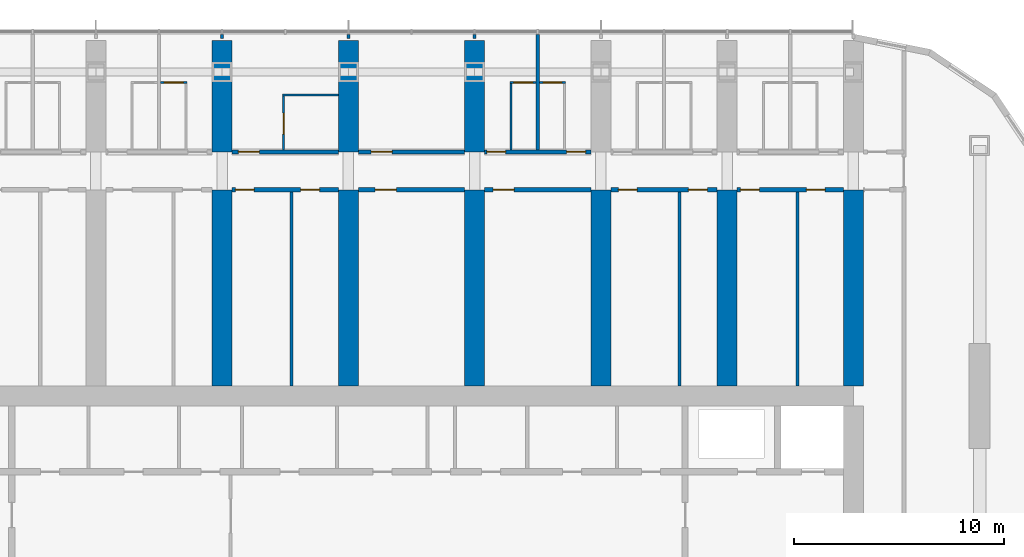
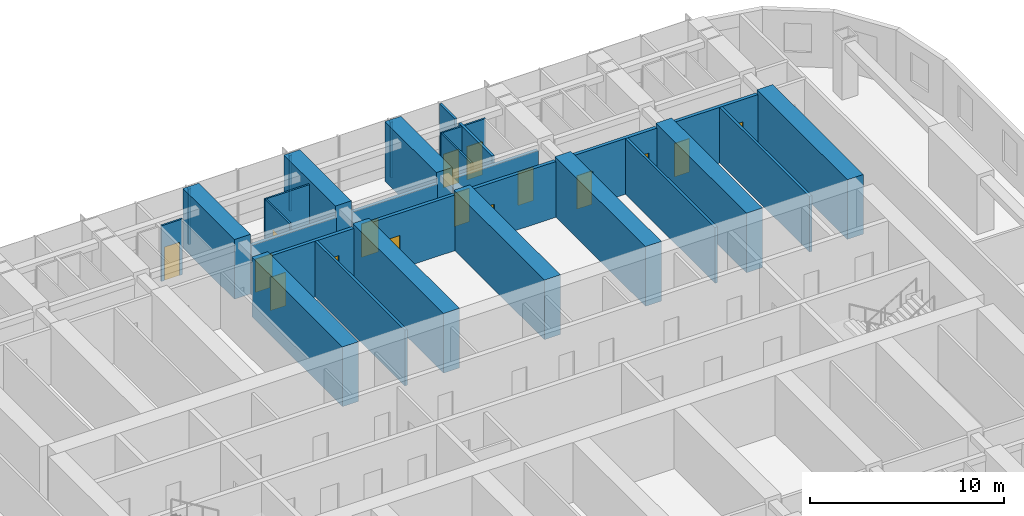
# One storey, part 17 of 26: 30 walls, 16 doors, 16 openings.
"""IFC4 building model written with IfcOpenShell, lengths in metres."""

from ifc_helpers import new_model, si_unit, direction, frame, frame_2d, origin, place, context, subcontext, project, spatial, polyline, rectangle, outline, extrude, material, layer, layer_set, type_object, element, fill, save


model = new_model("IFC4")

# Units and contexts
model_context = context("Model", 3, precision=1e-05, world=origin(), true_north=direction((0.0, 1.0)))
body_context = subcontext(model_context, "Body", "Model", "MODEL_VIEW")
ifc_project = project(units=[si_unit("LENGTHUNIT", "METRE"), si_unit("AREAUNIT", "SQUARE_METRE"), si_unit("VOLUMEUNIT", "CUBIC_METRE"), si_unit("PLANEANGLEUNIT", "RADIAN"), si_unit("MASSUNIT", "GRAM", prefix="KILO")], contexts=[model_context])

# Site, building, storey
site_placement = place(None, origin())
site = spatial("IfcSite", under=ifc_project, at=site_placement, CompositionType="ELEMENT")
building_placement = place(site_placement, origin())
building = spatial("IfcBuilding", under=site, at=building_placement, Name="Orbita Commons", CompositionType="ELEMENT")
storey_placement = place(building_placement, frame((0.0, 0.0, 114.39990234375)))
storey = spatial("IfcBuildingStorey", under=building, at=storey_placement, Name="L28", CompositionType="ELEMENT", Elevation=114.39990234375)

# Wall, opening, door
ifc_material_1 = material(Name="Concrete blockwork", Category="masonry")
ifc_layer_1 = layer(ifc_material_1, 0.199951171875)
ifc_layer_set_1 = layer_set([ifc_layer_1], Name="Concrete blockwork")
wall_type_1 = type_object("IfcWallType", Name="Corridor wall 200 blockwork", PredefinedType="SOLIDWALL", material=ifc_layer_set_1)
wall_1_placement = place(storey_placement, frame((36.47509765625, 49.800048828125, 0.0), z_axis=(0.0, 0.0, 1.0), x_axis=(1.0, 0.0, 0.0)))
wall_1 = element("IfcWall", 1, at=wall_1_placement, inside=storey, type_object=wall_type_1, Name="Corridor wall 200 blockwork L28", PredefinedType="SOLIDWALL", context=body_context, shape_type="SweptSolid", body=[
    extrude(outline(polyline([(0.0, 0.0), (5.0498046875, 0.0), (5.050048828125, 3.10009765625), (0.0, 3.10009765625), (0.0, 0.0)])), frame((0.0, 0.10009765625, 0.0), z_axis=(0.0, -1.0, 0.0), x_axis=(1.0, 0.0, 0.0)), (0.0, 0.0, 1.0), 0.199951171875),
])
opening_1_placement = place(wall_1_placement, frame((0.300048828125, 0.0, 0.0)))
opening_1 = element("IfcOpeningElement", 2, at=opening_1_placement, cuts=wall_1, Name="Opening D06", PredefinedType="OPENING", context=body_context, shape_type="SweptSolid", body=[
    extrude(rectangle(XDim=1.0, YDim=2.10009765625, at=frame_2d((0.5, 1.050048828125))), frame((0.0, 0.10986328125, 0.0), z_axis=(0.0, -1.0, 0.0), x_axis=(1.0, 0.0, 0.0)), (0.0, 0.0, 1.0), 0.219970703125),
])
ifc_material_2 = material(Name="Steel-faced fire door leaf", Category="steel")
door_type_1 = type_object("IfcDoorType", Name="Corridor door 20 min 1000x2100", OperationType="SINGLE_SWING_LEFT", PredefinedType="DOOR", material=ifc_material_2)
door_1_placement = place(opening_1_placement, origin())
door_1 = element("IfcDoor", 3, at=door_1_placement, inside=storey, type_object=door_type_1, Name="Accessible bedroom L28-N08 door", OperationType="SINGLE_SWING_LEFT", OverallHeight=2.10009765625, OverallWidth=1.0, PredefinedType="DOOR", context=body_context, shape_type="SweptSolid", body=[
    extrude(rectangle(XDim=1.0, YDim=2.10009765625, at=frame_2d((0.5, 1.050048828125))), frame((0.0, 0.02490234375, 0.0), z_axis=(0.0, -1.0, 0.0), x_axis=(1.0, 0.0, 0.0)), (0.0, 0.0, 1.0), 0.050048828125),
])
fill(opening_1, door_1)

wall_2_placement = place(storey_placement, frame((42.47509765625, 49.800048828125, 0.0), z_axis=(0.0, 0.0, 1.0), x_axis=(1.0, 0.0, 0.0)))
wall_2 = element("IfcWall", 4, at=wall_2_placement, inside=storey, type_object=wall_type_1, Name="Corridor wall 200 blockwork L28", PredefinedType="SOLIDWALL", context=body_context, shape_type="SweptSolid", body=[
    extrude(outline(polyline([(0.0, 0.0), (5.0498046875, 0.0), (5.050048828125, 3.10009765625), (0.0, 3.10009765625), (0.0, 0.0)])), frame((0.0, 0.10009765625, 0.0), z_axis=(0.0, -1.0, 0.0), x_axis=(1.0, 0.0, 0.0)), (0.0, 0.0, 1.0), 0.199951171875),
])
opening_2_placement = place(wall_2_placement, frame((0.60009765625, 0.0, 0.0)))
opening_2 = element("IfcOpeningElement", 5, at=opening_2_placement, cuts=wall_2, Name="Opening D06", PredefinedType="OPENING", context=body_context, shape_type="SweptSolid", body=[
    extrude(rectangle(XDim=1.0, YDim=2.10009765625, at=frame_2d((0.5, 1.050048828125))), frame((0.0, 0.10986328125, 0.0), z_axis=(0.0, -1.0, 0.0), x_axis=(1.0, 0.0, 0.0)), (0.0, 0.0, 1.0), 0.219970703125),
])
door_2_placement = place(opening_2_placement, origin())
door_2 = element("IfcDoor", 6, at=door_2_placement, inside=storey, type_object=door_type_1, Name="Cluster kitchen-diner L28-N10 door", OperationType="SINGLE_SWING_LEFT", OverallHeight=2.10009765625, OverallWidth=1.0, PredefinedType="DOOR", context=body_context, shape_type="SweptSolid", body=[
    extrude(rectangle(XDim=1.0, YDim=2.10009765625, at=frame_2d((0.5, 1.050048828125))), frame((0.0, 0.02490234375, 0.0), z_axis=(0.0, -1.0, 0.0), x_axis=(1.0, 0.0, 0.0)), (0.0, 0.0, 1.0), 0.050048828125),
])
fill(opening_2, door_2)

# Wall, openings, doors
wall_3_placement = place(storey_placement, frame((48.47509765625, 49.800048828125, 0.0), z_axis=(0.0, 0.0, 1.0), x_axis=(1.0, 0.0, 0.0)))
wall_3 = element("IfcWall", 7, at=wall_3_placement, inside=storey, type_object=wall_type_1, Name="Corridor wall 200 blockwork L28", PredefinedType="SOLIDWALL", context=body_context, shape_type="SweptSolid", body=[
    extrude(outline(polyline([(0.0, 0.0), (5.0498046875, 0.0), (5.050048828125, 3.10009765625), (0.0, 3.10009765625), (0.0, 0.0)])), frame((0.0, 0.10009765625, 0.0), z_axis=(0.0, -1.0, 0.0), x_axis=(1.0, 0.0, 0.0)), (0.0, 0.0, 1.0), 0.199951171875),
])
opening_3_placement = place(wall_3_placement, frame((0.10009765625, 0.0, 0.0)))
opening_3 = element("IfcOpeningElement", 8, at=opening_3_placement, cuts=wall_3, Name="Opening D11", PredefinedType="OPENING", context=body_context, shape_type="SweptSolid", body=[
    extrude(rectangle(XDim=0.89990234375, YDim=2.10009765625, at=frame_2d((0.449951171875, 1.050048828125))), frame((0.0, 0.10986328125, 0.0), z_axis=(0.0, -1.0, 0.0), x_axis=(1.0, 0.0, 0.0)), (0.0, 0.0, 1.0), 0.219970703125),
])
opening_4_placement = place(wall_3_placement, frame((3.89990234375, 0.0, 0.0)))
opening_4 = element("IfcOpeningElement", 9, at=opening_4_placement, cuts=wall_3, Name="Opening D11", PredefinedType="OPENING", context=body_context, shape_type="SweptSolid", body=[
    extrude(rectangle(XDim=0.89990234375, YDim=2.10009765625, at=frame_2d((0.449951171875, 1.050048828125))), frame((0.0, 0.10986328125, 0.0), z_axis=(0.0, -1.0, 0.0), x_axis=(1.0, 0.0, 0.0)), (0.0, 0.0, 1.0), 0.219970703125),
])
ifc_material_3 = material(Name="Steel-faced fire door leaf", Category="steel")
door_type_2 = type_object("IfcDoorType", Name="Corridor door 20 min 900x2100", OperationType="SINGLE_SWING_LEFT", PredefinedType="DOOR", material=ifc_material_3)
door_3_placement = place(opening_3_placement, origin())
door_3 = element("IfcDoor", 10, at=door_3_placement, inside=storey, type_object=door_type_2, Name="Cluster bedroom L28-N12 door", OperationType="SINGLE_SWING_LEFT", OverallHeight=2.10009765625, OverallWidth=0.89990234375, PredefinedType="DOOR", context=body_context, shape_type="SweptSolid", body=[
    extrude(rectangle(XDim=0.89990234375, YDim=2.10009765625, at=frame_2d((0.449951171875, 1.050048828125))), frame((0.0, 0.02490234375, 0.0), z_axis=(0.0, -1.0, 0.0), x_axis=(1.0, 0.0, 0.0)), (0.0, 0.0, 1.0), 0.050048828125),
])
fill(opening_3, door_3)
door_4_placement = place(opening_4_placement, origin())
door_4 = element("IfcDoor", 11, at=door_4_placement, inside=storey, type_object=door_type_2, Name="Cluster bedroom L28-N13 door", OperationType="SINGLE_SWING_LEFT", OverallHeight=2.10009765625, OverallWidth=0.89990234375, PredefinedType="DOOR", context=body_context, shape_type="SweptSolid", body=[
    extrude(rectangle(XDim=0.89990234375, YDim=2.10009765625, at=frame_2d((0.449951171875, 1.050048828125))), frame((0.0, 0.02490234375, 0.0), z_axis=(0.0, -1.0, 0.0), x_axis=(1.0, 0.0, 0.0)), (0.0, 0.0, 1.0), 0.050048828125),
])
fill(opening_4, door_4)

ifc_material_4 = material(Name="Hollow concrete block 200", Category="concrete")
ifc_layer_2 = layer(ifc_material_4, 0.199951171875)
ifc_layer_set_2 = layer_set([ifc_layer_2], Name="Hollow concrete block 200")
wall_type_2 = type_object("IfcWallType", Name="Corridor wall 200 hollow concrete block", PredefinedType="SOLIDWALL", material=ifc_layer_set_2)
wall_4_placement = place(storey_placement, frame((36.47509765625, 48.0, 0.0), z_axis=(0.0, 0.0, 1.0), x_axis=(1.0, 0.0, 0.0)))
wall_4 = element("IfcWall", 12, at=wall_4_placement, inside=storey, type_object=wall_type_2, Name="Corridor wall 200 hollow concrete block L28", PredefinedType="SOLIDWALL", context=body_context, shape_type="SweptSolid", body=[
    extrude(rectangle(XDim=5.0498046875, YDim=0.199951171875, at=frame_2d((2.52490234375, 0.0))), origin(), (0.0, 0.0, 1.0), 3.5),
])
opening_5_placement = place(wall_4_placement, frame((0.14990234375, 0.0, 0.0)))
opening_5 = element("IfcOpeningElement", 13, at=opening_5_placement, cuts=wall_4, Name="Opening D11", PredefinedType="OPENING", context=body_context, shape_type="SweptSolid", body=[
    extrude(rectangle(XDim=0.89990234375, YDim=2.10009765625, at=frame_2d((0.449951171875, 1.050048828125))), frame((0.0, 0.10986328125, 0.0), z_axis=(0.0, -1.0, 0.0), x_axis=(1.0, 0.0, 0.0)), (0.0, 0.0, 1.0), 0.219970703125),
])
opening_6_placement = place(wall_4_placement, frame((3.2548828125, 0.0, 0.0)))
opening_6 = element("IfcOpeningElement", 14, at=opening_6_placement, cuts=wall_4, Name="Opening D11", PredefinedType="OPENING", context=body_context, shape_type="SweptSolid", body=[
    extrude(rectangle(XDim=0.89990234375, YDim=2.10009765625, at=frame_2d((0.449951171875, 1.050048828125))), frame((0.0, 0.10986328125, 0.0), z_axis=(0.0, -1.0, 0.0), x_axis=(1.0, 0.0, 0.0)), (0.0, 0.0, 1.0), 0.219970703125),
])
door_5_placement = place(opening_5_placement, origin())
door_5 = element("IfcDoor", 15, at=door_5_placement, inside=storey, type_object=door_type_2, Name="Furniture store L28-BDN36 door", OperationType="SINGLE_SWING_LEFT", OverallHeight=2.10009765625, OverallWidth=0.89990234375, PredefinedType="DOOR", context=body_context, shape_type="SweptSolid", body=[
    extrude(rectangle(XDim=0.89990234375, YDim=2.10009765625, at=frame_2d((0.449951171875, 1.050048828125))), frame((0.0, 0.02490234375, 0.0), z_axis=(0.0, -1.0, 0.0), x_axis=(1.0, 0.0, 0.0)), (0.0, 0.0, 1.0), 0.050048828125),
])
fill(opening_5, door_5)
door_6_placement = place(opening_6_placement, origin())
door_6 = element("IfcDoor", 16, at=door_6_placement, inside=storey, type_object=door_type_2, Name="Water heater cupboard L28-BDN36n door", OperationType="SINGLE_SWING_LEFT", OverallHeight=2.10009765625, OverallWidth=0.89990234375, PredefinedType="DOOR", context=body_context, shape_type="SweptSolid", body=[
    extrude(rectangle(XDim=0.89990234375, YDim=2.10009765625, at=frame_2d((0.449951171875, 1.050048828125))), frame((0.0, 0.02490234375, 0.0), z_axis=(0.0, -1.0, 0.0), x_axis=(1.0, 0.0, 0.0)), (0.0, 0.0, 1.0), 0.050048828125),
])
fill(opening_6, door_6)

# Wall, opening, door
wall_5_placement = place(storey_placement, frame((42.47509765625, 48.0, 0.0), z_axis=(0.0, 0.0, 1.0), x_axis=(1.0, 0.0, 0.0)))
wall_5 = element("IfcWall", 17, at=wall_5_placement, inside=storey, type_object=wall_type_2, Name="Corridor wall 200 hollow concrete block L28", PredefinedType="SOLIDWALL", context=body_context, shape_type="SweptSolid", body=[
    extrude(rectangle(XDim=5.0498046875, YDim=0.199951171875, at=frame_2d((2.52490234375, 0.0))), origin(), (0.0, 0.0, 1.0), 3.5),
])
opening_7_placement = place(wall_5_placement, frame((0.800048828125, 0.0, 0.0)))
opening_7 = element("IfcOpeningElement", 18, at=opening_7_placement, cuts=wall_5, Name="Opening D06", PredefinedType="OPENING", context=body_context, shape_type="SweptSolid", body=[
    extrude(rectangle(XDim=1.0, YDim=2.10009765625, at=frame_2d((0.5, 1.050048828125))), frame((0.0, 0.10986328125, 0.0), z_axis=(0.0, -1.0, 0.0), x_axis=(1.0, 0.0, 0.0)), (0.0, 0.0, 1.0), 0.219970703125),
])
door_7_placement = place(opening_7_placement, origin())
door_7 = element("IfcDoor", 19, at=door_7_placement, inside=storey, type_object=door_type_1, Name="IT and print room L28-BDN42 door", OperationType="SINGLE_SWING_LEFT", OverallHeight=2.10009765625, OverallWidth=1.0, PredefinedType="DOOR", context=body_context, shape_type="SweptSolid", body=[
    extrude(rectangle(XDim=1.0, YDim=2.10009765625, at=frame_2d((0.5, 1.050048828125))), frame((0.0, 0.02490234375, 0.0), z_axis=(0.0, -1.0, 0.0), x_axis=(1.0, 0.0, 0.0)), (0.0, 0.0, 1.0), 0.050048828125),
])
fill(opening_7, door_7)

wall_6_placement = place(storey_placement, frame((48.47509765625, 48.0, 0.0), z_axis=(0.0, 0.0, 1.0), x_axis=(1.0, 0.0, 0.0)))
wall_6 = element("IfcWall", 20, at=wall_6_placement, inside=storey, type_object=wall_type_2, Name="Corridor wall 200 hollow concrete block L28", PredefinedType="SOLIDWALL", context=body_context, shape_type="SweptSolid", body=[
    extrude(rectangle(XDim=5.0498046875, YDim=0.199951171875, at=frame_2d((2.52490234375, 0.0))), origin(), (0.0, 0.0, 1.0), 3.5),
])
opening_8_placement = place(wall_6_placement, frame((0.39990234375, 0.0, 0.0)))
opening_8 = element("IfcOpeningElement", 21, at=opening_8_placement, cuts=wall_6, Name="Opening D06", PredefinedType="OPENING", context=body_context, shape_type="SweptSolid", body=[
    extrude(rectangle(XDim=1.0, YDim=2.10009765625, at=frame_2d((0.5, 1.050048828125))), frame((0.0, 0.10986328125, 0.0), z_axis=(0.0, -1.0, 0.0), x_axis=(1.0, 0.0, 0.0)), (0.0, 0.0, 1.0), 0.219970703125),
])
door_8_placement = place(opening_8_placement, origin())
door_8 = element("IfcDoor", 22, at=door_8_placement, inside=storey, type_object=door_type_1, Name="Store L28-BDN48 door", OperationType="SINGLE_SWING_LEFT", OverallHeight=2.10009765625, OverallWidth=1.0, PredefinedType="DOOR", context=body_context, shape_type="SweptSolid", body=[
    extrude(rectangle(XDim=1.0, YDim=2.10009765625, at=frame_2d((0.5, 1.050048828125))), frame((0.0, 0.02490234375, 0.0), z_axis=(0.0, -1.0, 0.0), x_axis=(1.0, 0.0, 0.0)), (0.0, 0.0, 1.0), 0.050048828125),
])
fill(opening_8, door_8)

# Wall, openings, doors
wall_7_placement = place(storey_placement, frame((54.47509765625, 48.0, 0.0), z_axis=(0.0, 0.0, 1.0), x_axis=(1.0, 0.0, 0.0)))
wall_7 = element("IfcWall", 23, at=wall_7_placement, inside=storey, type_object=wall_type_2, Name="Corridor wall 200 hollow concrete block L28", PredefinedType="SOLIDWALL", context=body_context, shape_type="SweptSolid", body=[
    extrude(rectangle(XDim=5.0498046875, YDim=0.199951171875, at=frame_2d((2.52490234375, 0.0))), origin(), (0.0, 0.0, 1.0), 3.5),
])
opening_9_placement = place(wall_7_placement, frame((0.35009765625, 0.0, 0.0)))
opening_9 = element("IfcOpeningElement", 24, at=opening_9_placement, cuts=wall_7, Name="Opening D11", PredefinedType="OPENING", context=body_context, shape_type="SweptSolid", body=[
    extrude(rectangle(XDim=0.89990234375, YDim=2.10009765625, at=frame_2d((0.449951171875, 1.050048828125))), frame((0.0, 0.10986328125, 0.0), z_axis=(0.0, -1.0, 0.0), x_axis=(1.0, 0.0, 0.0)), (0.0, 0.0, 1.0), 0.219970703125),
])
opening_10_placement = place(wall_7_placement, frame((3.68505859375, 0.0, 0.0)))
opening_10 = element("IfcOpeningElement", 25, at=opening_10_placement, cuts=wall_7, Name="Opening D11", PredefinedType="OPENING", context=body_context, shape_type="SweptSolid", body=[
    extrude(rectangle(XDim=0.89990234375, YDim=2.10009765625, at=frame_2d((0.449951171875, 1.050048828125))), frame((0.0, 0.10986328125, 0.0), z_axis=(0.0, -1.0, 0.0), x_axis=(1.0, 0.0, 0.0)), (0.0, 0.0, 1.0), 0.219970703125),
])
door_9_placement = place(opening_9_placement, origin())
door_9 = element("IfcDoor", 26, at=door_9_placement, inside=storey, type_object=door_type_2, Name="Bulk and luggage store L28-BDN54 door", OperationType="SINGLE_SWING_LEFT", OverallHeight=2.10009765625, OverallWidth=0.89990234375, PredefinedType="DOOR", context=body_context, shape_type="SweptSolid", body=[
    extrude(rectangle(XDim=0.89990234375, YDim=2.10009765625, at=frame_2d((0.449951171875, 1.050048828125))), frame((0.0, 0.02490234375, 0.0), z_axis=(0.0, -1.0, 0.0), x_axis=(1.0, 0.0, 0.0)), (0.0, 0.0, 1.0), 0.050048828125),
])
fill(opening_9, door_9)
door_10_placement = place(opening_10_placement, origin())
door_10 = element("IfcDoor", 27, at=door_10_placement, inside=storey, type_object=door_type_2, Name="Battery and UPS room L28-BDN54n door", OperationType="SINGLE_SWING_LEFT", OverallHeight=2.10009765625, OverallWidth=0.89990234375, PredefinedType="DOOR", context=body_context, shape_type="SweptSolid", body=[
    extrude(rectangle(XDim=0.89990234375, YDim=2.10009765625, at=frame_2d((0.449951171875, 1.050048828125))), frame((0.0, 0.02490234375, 0.0), z_axis=(0.0, -1.0, 0.0), x_axis=(1.0, 0.0, 0.0)), (0.0, 0.0, 1.0), 0.050048828125),
])
fill(opening_10, door_10)

wall_8_placement = place(storey_placement, frame((60.47509765625, 48.0, 0.0), z_axis=(0.0, 0.0, 1.0), x_axis=(1.0, 0.0, 0.0)))
wall_8 = element("IfcWall", 28, at=wall_8_placement, inside=storey, type_object=wall_type_2, Name="Corridor wall 200 hollow concrete block L28", PredefinedType="SOLIDWALL", context=body_context, shape_type="SweptSolid", body=[
    extrude(rectangle(XDim=5.0498046875, YDim=0.199951171875, at=frame_2d((2.52490234375, 0.0))), origin(), (0.0, 0.0, 1.0), 3.5),
])
opening_11_placement = place(wall_8_placement, frame((0.14990234375, 0.0, 0.0)))
opening_11 = element("IfcOpeningElement", 29, at=opening_11_placement, cuts=wall_8, Name="Opening D11", PredefinedType="OPENING", context=body_context, shape_type="SweptSolid", body=[
    extrude(rectangle(XDim=0.89990234375, YDim=2.10009765625, at=frame_2d((0.449951171875, 1.050048828125))), frame((0.0, 0.10986328125, 0.0), z_axis=(0.0, -1.0, 0.0), x_axis=(1.0, 0.0, 0.0)), (0.0, 0.0, 1.0), 0.219970703125),
])
opening_12_placement = place(wall_8_placement, frame((3.284912109375, 0.0, 0.0)))
opening_12 = element("IfcOpeningElement", 30, at=opening_12_placement, cuts=wall_8, Name="Opening D11", PredefinedType="OPENING", context=body_context, shape_type="SweptSolid", body=[
    extrude(rectangle(XDim=0.89990234375, YDim=2.10009765625, at=frame_2d((0.449951171875, 1.050048828125))), frame((0.0, 0.10986328125, 0.0), z_axis=(0.0, -1.0, 0.0), x_axis=(1.0, 0.0, 0.0)), (0.0, 0.0, 1.0), 0.219970703125),
])
door_11_placement = place(opening_11_placement, origin())
door_11 = element("IfcDoor", 31, at=door_11_placement, inside=storey, type_object=door_type_2, Name="Parcel and post room L28-BDN60 door", OperationType="SINGLE_SWING_LEFT", OverallHeight=2.10009765625, OverallWidth=0.89990234375, PredefinedType="DOOR", context=body_context, shape_type="SweptSolid", body=[
    extrude(rectangle(XDim=0.89990234375, YDim=2.10009765625, at=frame_2d((0.449951171875, 1.050048828125))), frame((0.0, 0.02490234375, 0.0), z_axis=(0.0, -1.0, 0.0), x_axis=(1.0, 0.0, 0.0)), (0.0, 0.0, 1.0), 0.050048828125),
])
fill(opening_11, door_11)
door_12_placement = place(opening_12_placement, origin())
door_12 = element("IfcDoor", 32, at=door_12_placement, inside=storey, type_object=door_type_2, Name="Sprinkler valve room L28-BDN60n door", OperationType="SINGLE_SWING_LEFT", OverallHeight=2.10009765625, OverallWidth=0.89990234375, PredefinedType="DOOR", context=body_context, shape_type="SweptSolid", body=[
    extrude(rectangle(XDim=0.89990234375, YDim=2.10009765625, at=frame_2d((0.449951171875, 1.050048828125))), frame((0.0, 0.02490234375, 0.0), z_axis=(0.0, -1.0, 0.0), x_axis=(1.0, 0.0, 0.0)), (0.0, 0.0, 1.0), 0.050048828125),
])
fill(opening_12, door_12)

# Walls
ifc_material_5 = material(Name="Concrete C50/60", Category="concrete")
ifc_layer_3 = layer(ifc_material_5, 0.949951171875)
ifc_layer_set_3 = layer_set([ifc_layer_3], Name="Concrete C50/60")
wall_type_3 = type_object("IfcWallType", Name="Cross wall 950 C50/60", PredefinedType="SHEAR", material=ifc_layer_set_3)
wall_9_placement = place(storey_placement, frame((36.0, 49.800048828125, 0.0), z_axis=(0.0, 0.0, 1.0), x_axis=(0.0, 1.0, 0.0)))
element("IfcWall", 33, at=wall_9_placement, inside=storey, type_object=wall_type_3, Name="Cross wall 7 north outer L28", PredefinedType="SHEAR", context=body_context, shape_type="SweptSolid", body=[
    extrude(rectangle(XDim=5.300048828125, YDim=0.949951171875, at=frame_2d((2.64990234375, 0.0))), origin(), (0.0, 0.0, 1.0), 3.75),
])
wall_10_placement = place(storey_placement, frame((36.0, 38.675048828125, 0.0), z_axis=(0.0, 0.0, 1.0), x_axis=(0.0, 1.0, 0.0)))
element("IfcWall", 34, at=wall_10_placement, inside=storey, type_object=wall_type_3, Name="Cross wall 7 north inner L28", PredefinedType="SHEAR", context=body_context, shape_type="SweptSolid", body=[
    extrude(rectangle(XDim=9.324951171875, YDim=0.949951171875, at=frame_2d((4.66259765625, 0.0))), origin(), (0.0, 0.0, 1.0), 3.75),
])
wall_11_placement = place(storey_placement, frame((42.0, 49.800048828125, 0.0), z_axis=(0.0, 0.0, 1.0), x_axis=(0.0, 1.0, 0.0)))
element("IfcWall", 35, at=wall_11_placement, inside=storey, type_object=wall_type_3, Name="Cross wall 8 north outer L28", PredefinedType="SHEAR", context=body_context, shape_type="SweptSolid", body=[
    extrude(rectangle(XDim=5.300048828125, YDim=0.949951171875, at=frame_2d((2.64990234375, 0.0))), origin(), (0.0, 0.0, 1.0), 3.75),
])
wall_12_placement = place(storey_placement, frame((42.0, 38.675048828125, 0.0), z_axis=(0.0, 0.0, 1.0), x_axis=(0.0, 1.0, 0.0)))
element("IfcWall", 36, at=wall_12_placement, inside=storey, type_object=wall_type_3, Name="Cross wall 8 north inner L28", PredefinedType="SHEAR", context=body_context, shape_type="SweptSolid", body=[
    extrude(rectangle(XDim=9.324951171875, YDim=0.949951171875, at=frame_2d((4.66259765625, 0.0))), origin(), (0.0, 0.0, 1.0), 3.75),
])
wall_13_placement = place(storey_placement, frame((48.0, 49.800048828125, 0.0), z_axis=(0.0, 0.0, 1.0), x_axis=(0.0, 1.0, 0.0)))
element("IfcWall", 37, at=wall_13_placement, inside=storey, type_object=wall_type_3, Name="Cross wall 9 north outer L28", PredefinedType="SHEAR", context=body_context, shape_type="SweptSolid", body=[
    extrude(rectangle(XDim=5.300048828125, YDim=0.949951171875, at=frame_2d((2.64990234375, 0.0))), origin(), (0.0, 0.0, 1.0), 3.75),
])
for number, where, z_axis, x_axis, name in (
    (38, (48.0, 38.675048828125, 0.0), (0.0, 0.0, 1.0), (0.0, 1.0, 0.0), "Cross wall 9 north inner L28"),
    (39, (54.0, 38.675048828125, 0.0), (0.0, 0.0, 1.0), (0.0, 1.0, 0.0), "Cross wall 10 north inner L28"),
    (40, (60.0, 38.675048828125, 0.0), (0.0, 0.0, 1.0), (0.0, 1.0, 0.0), "Cross wall 11 north inner L28"),
    (41, (66.0, 38.675048828125, 0.0), (0.0, 0.0, 1.0), (0.0, 1.0, 0.0), "Cross wall 12 north inner L28"),
):
    element("IfcWall", number, at=place(storey_placement, frame(where, z_axis=z_axis, x_axis=x_axis)), inside=storey, type_object=wall_type_3, Name=name, PredefinedType="SHEAR", context=body_context, shape_type="SweptSolid", body=[
        extrude(rectangle(XDim=9.324951171875, YDim=0.949951171875, at=frame_2d((4.66259765625, 0.0))), origin(), (0.0, 0.0, 1.0), 3.75),
    ])

# Wall, opening, door
ifc_material_6 = material(Name="Moisture-resistant plasterboard on steel studs", Category="steel")
ifc_layer_4 = layer(ifc_material_6, 0.10009765625)
ifc_layer_set_4 = layer_set([ifc_layer_4], Name="Moisture-resistant plasterboard on steel studs")
wall_type_4 = type_object("IfcWallType", Name="En-suite partition 100", PredefinedType="PARTITIONING", material=ifc_layer_set_4)
wall_14_placement = place(storey_placement, frame((33.074951171875, 53.10009765625, 0.0), z_axis=(0.0, 0.0, 1.0), x_axis=(1.0, 0.0, 0.0)))
wall_14 = element("IfcWall", 42, at=wall_14_placement, inside=storey, type_object=wall_type_4, Name="En-suite partition 100 L28", PredefinedType="PARTITIONING", context=body_context, shape_type="SweptSolid", body=[
    extrude(rectangle(XDim=1.25, YDim=0.10009765625, at=frame_2d((0.625, 0.0))), origin(), (0.0, 0.0, 1.0), 3.5),
])
opening_13_placement = place(wall_14_placement, frame((0.175048828125, 0.0, 0.0)))
opening_13 = element("IfcOpeningElement", 43, at=opening_13_placement, cuts=wall_14, Name="Opening D09", PredefinedType="OPENING", context=body_context, shape_type="SweptSolid", body=[
    extrude(rectangle(XDim=0.89990234375, YDim=2.10009765625, at=frame_2d((0.449951171875, 1.050048828125))), frame((0.0, 0.06005859375, 0.0), z_axis=(0.0, -1.0, 0.0), x_axis=(1.0, 0.0, 0.0)), (0.0, 0.0, 1.0), 0.1201171875),
])
ifc_material_7 = material(Name="Laminated timber door leaf", Category="wood")
door_type_3 = type_object("IfcDoorType", Name="En-suite door 900x2100", OperationType="SINGLE_SWING_RIGHT", PredefinedType="DOOR", material=ifc_material_7)
door_13_placement = place(opening_13_placement, origin())
door_13 = element("IfcDoor", 44, at=door_13_placement, inside=storey, type_object=door_type_3, Name="En-suite L28-N07 door", OperationType="SINGLE_SWING_RIGHT", OverallHeight=2.10009765625, OverallWidth=0.89990234375, PredefinedType="DOOR", context=body_context, shape_type="SweptSolid", body=[
    extrude(rectangle(XDim=0.89990234375, YDim=2.10009765625, at=frame_2d((0.449951171875, 1.050048828125))), frame((0.0, 0.02490234375, 0.0), z_axis=(0.0, -1.0, 0.0), x_axis=(1.0, 0.0, 0.0)), (0.0, 0.0, 1.0), 0.050048828125),
])
fill(opening_13, door_13)

# Wall
wall_15_placement = place(storey_placement, frame((38.875, 52.5, 0.0), z_axis=(0.0, 0.0, 1.0), x_axis=(1.0, 0.0, 0.0)))
element("IfcWall", 45, at=wall_15_placement, inside=storey, type_object=wall_type_4, Name="En-suite partition 100 L28", PredefinedType="PARTITIONING", context=body_context, shape_type="SweptSolid", body=[
    extrude(rectangle(XDim=2.64990234375, YDim=0.10009765625, at=frame_2d((1.324951171875, 0.0))), origin(), (0.0, 0.0, 1.0), 3.5),
])

# Wall, opening, door
wall_16_placement = place(storey_placement, frame((38.925048828125, 52.449951171875, 0.0), z_axis=(0.0, 0.0, 1.0), x_axis=(0.0, -1.0, 0.0)))
wall_16 = element("IfcWall", 46, at=wall_16_placement, inside=storey, type_object=wall_type_4, Name="En-suite partition 100 L28", PredefinedType="PARTITIONING", context=body_context, shape_type="SweptSolid", body=[
    extrude(outline(polyline([(0.0, 0.0), (2.550048828125, 0.0), (2.550048828125, 3.10009765625), (2.501953125, 3.10009765625), (2.5, 3.5), (0.0, 3.5), (0.0, 0.0)])), frame((0.0, 0.050048828125, 0.0), z_axis=(0.0, -1.0, 0.0), x_axis=(1.0, 0.0, 0.0)), (0.0, 0.0, 1.0), 0.10009765625),
])
opening_14_placement = place(wall_16_placement, frame((0.800048828125, 0.0, 0.0)))
opening_14 = element("IfcOpeningElement", 47, at=opening_14_placement, cuts=wall_16, Name="Opening D13", PredefinedType="OPENING", context=body_context, shape_type="SweptSolid", body=[
    extrude(rectangle(XDim=1.0, YDim=2.10009765625, at=frame_2d((0.5, 1.050048828125))), frame((0.0, 0.06005859375, 0.0), z_axis=(0.0, -1.0, 0.0), x_axis=(1.0, 0.0, 0.0)), (0.0, 0.0, 1.0), 0.1201171875),
])
ifc_material_8 = material(Name="Laminated timber door leaf", Category="wood")
door_type_4 = type_object("IfcDoorType", Name="En-suite door 1000x2100", OperationType="SINGLE_SWING_RIGHT", PredefinedType="DOOR", material=ifc_material_8)
door_14_placement = place(opening_14_placement, origin())
door_14 = element("IfcDoor", 48, at=door_14_placement, inside=storey, type_object=door_type_4, Name="Accessible shower room L28-N08 door", OperationType="SINGLE_SWING_RIGHT", OverallHeight=2.10009765625, OverallWidth=1.0, PredefinedType="DOOR", context=body_context, shape_type="SweptSolid", body=[
    extrude(rectangle(XDim=1.0, YDim=2.10009765625, at=frame_2d((0.5, 1.050048828125))), frame((0.0, 0.02490234375, 0.0), z_axis=(0.0, -1.0, 0.0), x_axis=(1.0, 0.0, 0.0)), (0.0, 0.0, 1.0), 0.050048828125),
])
fill(opening_14, door_14)

wall_17_placement = place(storey_placement, frame((49.675048828125, 53.10009765625, 0.0), z_axis=(0.0, 0.0, 1.0), x_axis=(1.0, 0.0, 0.0)))
wall_17 = element("IfcWall", 49, at=wall_17_placement, inside=storey, type_object=wall_type_4, Name="En-suite partition 100 L28", PredefinedType="PARTITIONING", context=body_context, shape_type="SweptSolid", body=[
    extrude(rectangle(XDim=1.25, YDim=0.10009765625, at=frame_2d((0.625, 0.0))), origin(), (0.0, 0.0, 1.0), 3.5),
])
opening_15_placement = place(wall_17_placement, frame((0.175048828125, 0.0, 0.0)))
opening_15 = element("IfcOpeningElement", 50, at=opening_15_placement, cuts=wall_17, Name="Opening D09", PredefinedType="OPENING", context=body_context, shape_type="SweptSolid", body=[
    extrude(rectangle(XDim=0.89990234375, YDim=2.10009765625, at=frame_2d((0.449951171875, 1.050048828125))), frame((0.0, 0.06005859375, 0.0), z_axis=(0.0, -1.0, 0.0), x_axis=(1.0, 0.0, 0.0)), (0.0, 0.0, 1.0), 0.1201171875),
])
door_15_placement = place(opening_15_placement, origin())
door_15 = element("IfcDoor", 51, at=door_15_placement, inside=storey, type_object=door_type_3, Name="En-suite L28-N12 door", OperationType="SINGLE_SWING_RIGHT", OverallHeight=2.10009765625, OverallWidth=0.89990234375, PredefinedType="DOOR", context=body_context, shape_type="SweptSolid", body=[
    extrude(rectangle(XDim=0.89990234375, YDim=2.10009765625, at=frame_2d((0.449951171875, 1.050048828125))), frame((0.0, 0.02490234375, 0.0), z_axis=(0.0, -1.0, 0.0), x_axis=(1.0, 0.0, 0.0)), (0.0, 0.0, 1.0), 0.050048828125),
])
fill(opening_15, door_15)

# Wall
wall_18_placement = place(storey_placement, frame((49.72509765625, 53.050048828125, 0.0), z_axis=(0.0, 0.0, 1.0), x_axis=(0.0, -1.0, 0.0)))
element("IfcWall", 52, at=wall_18_placement, inside=storey, type_object=wall_type_4, Name="En-suite partition 100 L28", PredefinedType="PARTITIONING", context=body_context, shape_type="SweptSolid", body=[
    extrude(outline(polyline([(0.0, 0.0), (3.150146484375, 0.0), (3.14990234375, 3.10009765625), (3.10205078125, 3.10009765625), (3.10009765625, 3.5), (0.0, 3.5), (0.0, 0.0)])), frame((0.0, 0.050048828125, 0.0), z_axis=(0.0, -1.0, 0.0), x_axis=(1.0, 0.0, 0.0)), (0.0, 0.0, 1.0), 0.10009765625),
])

# Wall, opening, door
wall_19_placement = place(storey_placement, frame((51.074951171875, 53.10009765625, 0.0), z_axis=(0.0, 0.0, 1.0), x_axis=(1.0, 0.0, 0.0)))
wall_19 = element("IfcWall", 53, at=wall_19_placement, inside=storey, type_object=wall_type_4, Name="En-suite partition 100 L28", PredefinedType="PARTITIONING", context=body_context, shape_type="SweptSolid", body=[
    extrude(rectangle(XDim=1.25, YDim=0.10009765625, at=frame_2d((0.625, 0.0))), origin(), (0.0, 0.0, 1.0), 3.5),
])
opening_16_placement = place(wall_19_placement, frame((0.175048828125, 0.0, 0.0)))
opening_16 = element("IfcOpeningElement", 54, at=opening_16_placement, cuts=wall_19, Name="Opening D09", PredefinedType="OPENING", context=body_context, shape_type="SweptSolid", body=[
    extrude(rectangle(XDim=0.89990234375, YDim=2.10009765625, at=frame_2d((0.449951171875, 1.050048828125))), frame((0.0, 0.06005859375, 0.0), z_axis=(0.0, -1.0, 0.0), x_axis=(1.0, 0.0, 0.0)), (0.0, 0.0, 1.0), 0.1201171875),
])
door_16_placement = place(opening_16_placement, origin())
door_16 = element("IfcDoor", 55, at=door_16_placement, inside=storey, type_object=door_type_3, Name="En-suite L28-N13 door", OperationType="SINGLE_SWING_RIGHT", OverallHeight=2.10009765625, OverallWidth=0.89990234375, PredefinedType="DOOR", context=body_context, shape_type="SweptSolid", body=[
    extrude(rectangle(XDim=0.89990234375, YDim=2.10009765625, at=frame_2d((0.449951171875, 1.050048828125))), frame((0.0, 0.02490234375, 0.0), z_axis=(0.0, -1.0, 0.0), x_axis=(1.0, 0.0, 0.0)), (0.0, 0.0, 1.0), 0.050048828125),
])
fill(opening_16, door_16)

# Walls
ifc_material_9 = material(Name="Gypsum plasterboard on steel studs", Category="steel")
ifc_layer_5 = layer(ifc_material_9, 0.14990234375)
ifc_layer_set_5 = layer_set([ifc_layer_5], Name="Gypsum plasterboard on steel studs")
wall_type_5 = type_object("IfcWallType", Name="Partition 150 plasterboard", PredefinedType="PARTITIONING", material=ifc_layer_set_5)
for number, where, z_axis, x_axis, name in (
    (56, (39.304931640625, 38.675048828125, 0.0), (0.0, 0.0, 1.0), (0.0, 1.0, 0.0), "Partition 150 plasterboard L28"),
    (57, (57.735107421875, 38.675048828125, 0.0), (0.0, 0.0, 1.0), (0.0, 1.0, 0.0), "Partition 150 plasterboard L28"),
    (58, (63.3349609375, 38.675048828125, 0.0), (0.0, 0.0, 1.0), (0.0, 1.0, 0.0), "Partition 150 plasterboard L28"),
):
    element("IfcWall", number, at=place(storey_placement, frame(where, z_axis=z_axis, x_axis=x_axis)), inside=storey, type_object=wall_type_5, Name=name, PredefinedType="PARTITIONING", context=body_context, shape_type="SweptSolid", body=[
        extrude(rectangle(XDim=9.224853515625, YDim=0.14990234375, at=frame_2d((4.6123046875, 0.0))), origin(), (0.0, 0.0, 1.0), 3.5),
    ])
for number, where, z_axis, x_axis, name in (
    (59, (36.0, 55.199951171875, 0.0), (0.0, 0.0, 1.0), (0.0, 1.0, 0.0), "Partition 150 plasterboard L28"),
    (60, (42.0, 55.199951171875, 0.0), (0.0, 0.0, 1.0), (0.0, 1.0, 0.0), "Partition 150 plasterboard L28"),
    (61, (48.0, 55.199951171875, 0.0), (0.0, 0.0, 1.0), (0.0, 1.0, 0.0), "Partition 150 plasterboard L28"),
):
    element("IfcWall", number, at=place(storey_placement, frame(where, z_axis=z_axis, x_axis=x_axis)), inside=storey, type_object=wall_type_5, Name=name, PredefinedType="PARTITIONING", context=body_context, shape_type="SweptSolid", body=[
        extrude(rectangle(XDim=0.18994140625, YDim=0.14990234375, at=frame_2d((0.094970703125, 0.0))), origin(), (0.0, 0.0, 1.0), 3.5),
    ])
ifc_material_10 = material(Name="Gypsum plasterboard on steel studs", Category="steel")
ifc_layer_6 = layer(ifc_material_10, 0.14990234375)
ifc_layer_set_6 = layer_set([ifc_layer_6], Name="Gypsum plasterboard on steel studs")
wall_type_6 = type_object("IfcWallType", Name="Party wall 150 plasterboard", PredefinedType="PARTITIONING", material=ifc_layer_set_6)
wall_20_placement = place(storey_placement, frame((51.0, 55.389892578125, 0.0), z_axis=(0.0, 0.0, 1.0), x_axis=(0.0, -1.0, 0.0)))
element("IfcWall", 62, at=wall_20_placement, inside=storey, type_object=wall_type_6, Name="Party wall 150 plasterboard L28", PredefinedType="PARTITIONING", context=body_context, shape_type="SweptSolid", body=[
    extrude(outline(polyline([(0.0, 0.0), (5.489990234375, 0.0), (5.489990234375, 3.10009765625), (5.44189453125, 3.10009765625), (5.43994140625, 3.5), (1.991943359375, 3.5), (1.989990234375, 3.10009765625), (1.592041015625, 3.10009765625), (1.590087890625, 3.5), (0.0, 3.5), (0.0, 0.0)])), frame((0.0, 0.074951171875, 0.0), z_axis=(0.0, -1.0, 0.0), x_axis=(1.0, 0.0, 0.0)), (0.0, 0.0, 1.0), 0.14990234375),
])

save(model, "model.ifc")
